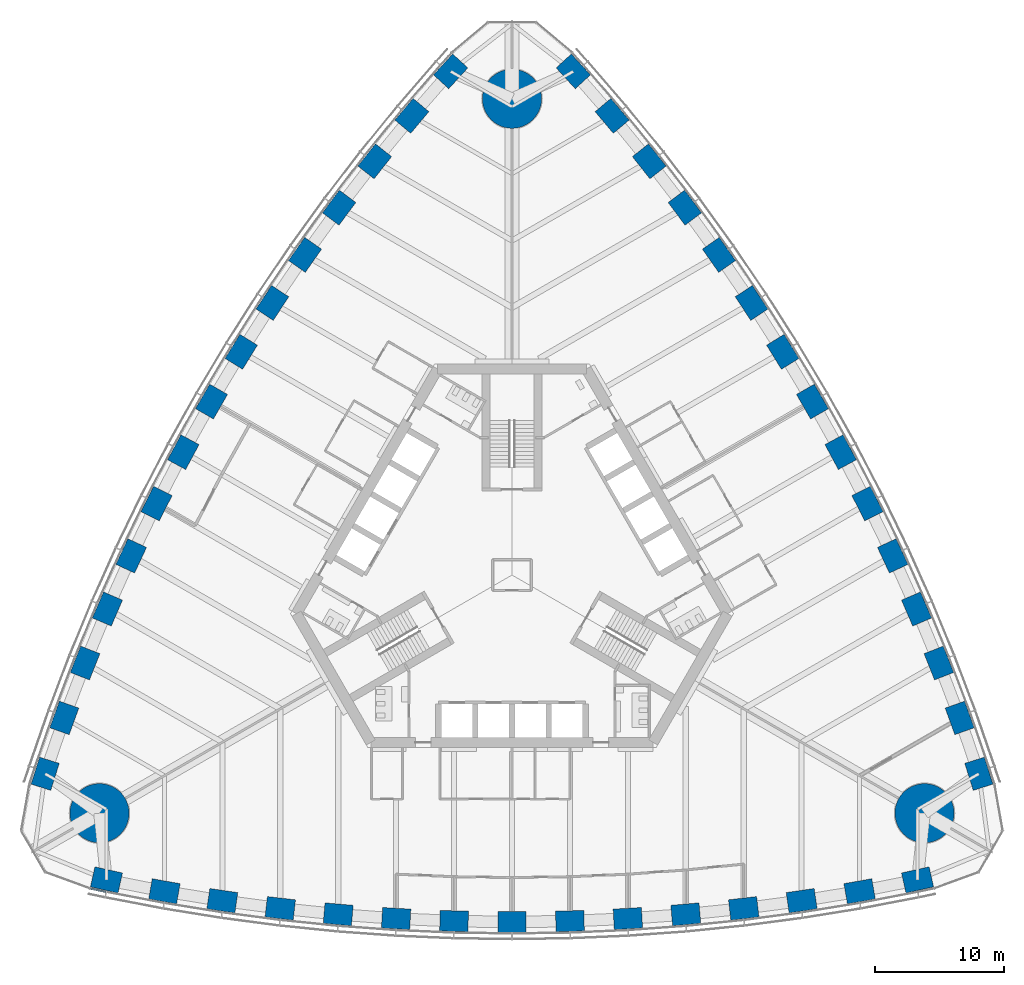
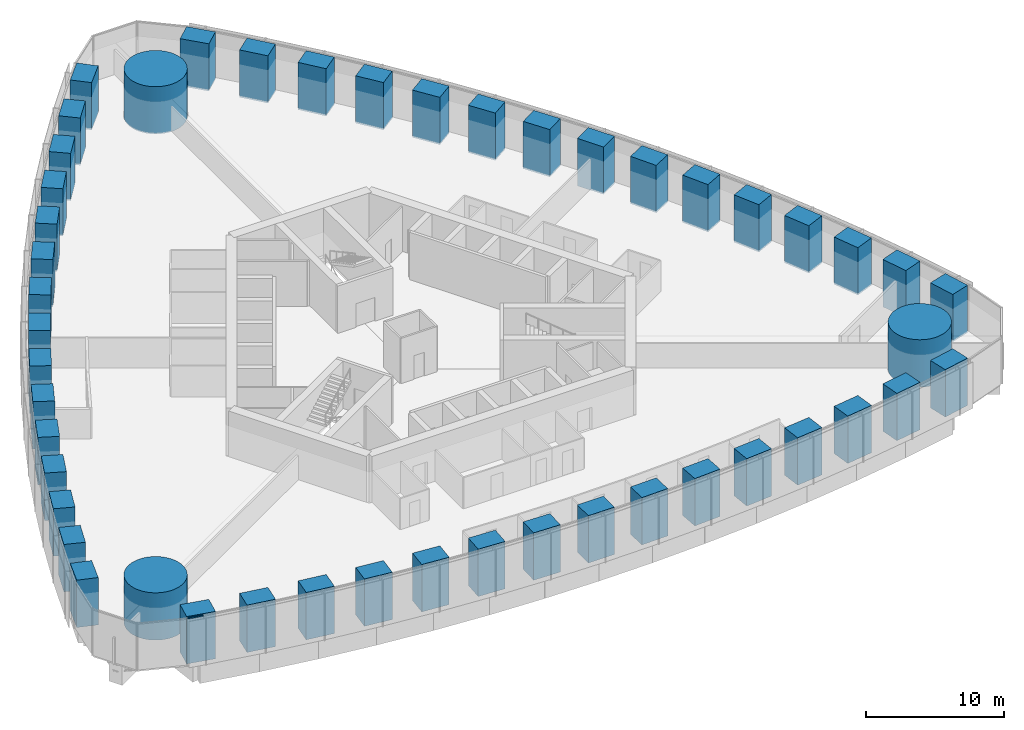
# One storey, part 1 of 18: 48 columns, 1 member, 1 element without a shape of its own.
"""IFC4 building model written with IfcOpenShell, lengths in metres."""

from ifc_helpers import new_model, si_unit, direction, frame, origin, origin_2d, place, context, subcontext, project, spatial, rectangle, circle, extrude, material, material_profile, profile_set, type_object, element, aggregate, save


model = new_model("IFC4")

# Units and contexts
model_context = context("Model", 3, precision=1e-05, world=origin(), true_north=direction((0.0, 1.0)))
body_context = subcontext(model_context, "Body", "Model", "MODEL_VIEW")
ifc_project = project(units=[si_unit("LENGTHUNIT", "METRE"), si_unit("AREAUNIT", "SQUARE_METRE"), si_unit("VOLUMEUNIT", "CUBIC_METRE"), si_unit("PLANEANGLEUNIT", "RADIAN"), si_unit("MASSUNIT", "GRAM", prefix="KILO")], contexts=[model_context])

# Site, building, storey
site_placement = place(None, origin())
site = spatial("IfcSite", under=ifc_project, at=site_placement, CompositionType="ELEMENT")
building_placement = place(site_placement, origin())
building = spatial("IfcBuilding", under=site, at=building_placement, Name="Trefoil Bronze Tower", CompositionType="ELEMENT")
storey_placement = place(building_placement, frame((0.0, 0.0, 71.10009765625)))
storey = spatial("IfcBuildingStorey", under=building, at=storey_placement, Name="L16", CompositionType="ELEMENT", Elevation=71.10009765625)

# Columns
ifc_material_1 = material(Name="Concrete B80", Category="concrete")
ifc_material_profile_1 = material_profile(ifc_material_1, circle(Radius=2.300048828125, at=origin_2d()), Name="RC D4600")
ifc_profile_set_1 = profile_set([ifc_material_profile_1], Name="Concrete B80")
column_type_1 = type_object("IfcColumnType", Name="Mega column RC D4600", PredefinedType="COLUMN", material=ifc_profile_set_1)
for number, where, z_axis, x_axis, name in (
    (1, (32.04296875, -18.5, 0.0), (0.0, 0.0, 1.0), (1.0, 0.0, 0.0), "Mega column K1 L16"),
    (2, (0.0, 37.0, 0.0), (0.0, 0.0, 1.0), (1.0, 0.0, 0.0), "Mega column K2 L16"),
    (3, (-32.04296875, -18.5, 0.0), (0.0, 0.0, 1.0), (1.0, 0.0, 0.0), "Mega column K3 L16"),
):
    element("IfcColumn", number, at=place(storey_placement, frame(where, z_axis=z_axis, x_axis=x_axis)), inside=storey, type_object=column_type_1, Name=name, PredefinedType="COLUMN", context=body_context, shape_type="SweptSolid", body=[
        extrude(circle(Radius=2.300048828125, at=origin_2d()), origin(), (0.0, 0.0, 1.0), 4.199951171875),
    ])
ifc_material_2 = material(Name="Concrete B80", Category="concrete")
ifc_material_profile_2 = material_profile(ifc_material_2, rectangle(XDim=2.199951171875, YDim=1.60009765625, at=origin_2d()), Name="RC 2200x1600")
ifc_profile_set_2 = profile_set([ifc_material_profile_2], Name="Concrete B80")
column_type_2 = type_object("IfcColumnType", Name="Tube column RC 2200x1600", PredefinedType="COLUMN", material=ifc_profile_set_2)
for number, where, z_axis, x_axis, name in (
    (4, (-31.5, -23.684814453125, 0.0), (0.0, 0.0, 1.0), (0.976229647342, -0.216738726697, 0.0), "Tube column F1/-7 L16"),
    (5, (-27.0, -24.56787109375, 0.0), (0.0, 0.0, 1.0), (0.984722470468, -0.174131146426, 0.0), "Tube column F1/-6 L16"),
    (6, (-22.5, -25.29931640625, 0.0), (0.0, 0.0, 1.0), (0.989415676546, -0.145108990094, 0.0), "Tube column F1/-5 L16"),
    (7, (-18.0, -25.895263671875, 0.0), (0.0, 0.0, 1.0), (0.993239048989, -0.116086999973, 0.0), "Tube column F1/-4 L16"),
    (8, (-13.5, -26.35693359375, 0.0), (0.0, 0.0, 1.0), (0.996202620701, -0.087065139456, 0.0), "Tube column F1/-3 L16"),
    (9, (-9.0, -26.68603515625, 0.0), (0.0, 0.0, 1.0), (0.998314062162, -0.058043374207, 0.0), "Tube column F1/-2 L16"),
    (10, (-4.5, -26.883056640625, 0.0), (0.0, 0.0, 1.0), (0.999578782577, -0.029021671584, 0.0), "Tube column F1/-1 L16"),
    (11, (0.0, -26.94873046875, 0.0), (0.0, 0.0, 1.0), (1.0, 0.0, 0.0), "Tube column F1/+0 L16"),
    (12, (4.5, -26.883056640625, 0.0), (0.0, 0.0, 1.0), (0.999578782577, 0.029021671584, 0.0), "Tube column F1/+1 L16"),
    (13, (9.0, -26.68603515625, 0.0), (0.0, 0.0, 1.0), (0.998314062162, 0.058043374207, 0.0), "Tube column F1/+2 L16"),
    (14, (13.5, -26.35693359375, 0.0), (0.0, 0.0, 1.0), (0.996202620701, 0.087065139456, 0.0), "Tube column F1/+3 L16"),
    (15, (18.0, -25.895263671875, 0.0), (0.0, 0.0, 1.0), (0.993239048989, 0.116086999973, 0.0), "Tube column F1/+4 L16"),
    (16, (22.5, -25.29931640625, 0.0), (0.0, 0.0, 1.0), (0.989415676546, 0.145108990094, 0.0), "Tube column F1/+5 L16"),
    (17, (27.0, -24.56787109375, 0.0), (0.0, 0.0, 1.0), (0.984722470468, 0.174131146426, 0.0), "Tube column F1/+6 L16"),
    (18, (31.5, -23.684814453125, 0.0), (0.0, 0.0, 1.0), (0.976229647342, 0.216738726697, 0.0), "Tube column F1/+7 L16"),
    (19, (36.26171875, -15.4375, 0.0), (0.0, 0.0, 1.0), (-0.300413580368, 0.953809037874, 0.0), "Tube column F2/-7 L16"),
    (20, (34.7763671875, -11.0986328125, 0.0), (0.0, 0.0, 1.0), (-0.341559238839, 0.939860248316, 0.0), "Tube column F2/-6 L16"),
    (21, (33.159912109375, -6.8359375, 0.0), (0.0, 0.0, 1.0), (-0.369039766534, 0.929413605838, 0.0), "Tube column F2/-5 L16"),
    (22, (31.42578125, -2.640869140625, 0.0), (0.0, 0.0, 1.0), (-0.396085233469, 0.918213748442, 0.0), "Tube column F2/-4 L16"),
    (23, (29.575927734375, 1.487060546875, 0.0), (0.0, 0.0, 1.0), (-0.422700687798, 0.906269346572, 0.0), "Tube column F2/-3 L16"),
    (24, (27.61083984375, 5.548828125, 0.0), (0.0, 0.0, 1.0), (-0.448889994497, 0.893587025891, 0.0), "Tube column F2/-2 L16"),
    (25, (25.531494140625, 9.54443359375, 0.0), (0.0, 0.0, 1.0), (-0.474655886437, 0.880171454588, 0.0), "Tube column F2/-1 L16"),
    (26, (23.33837890625, 13.474365234375, 0.0), (0.0, 0.0, 1.0), (-0.5, 0.866025403784, 0.0), "Tube column F2/+0 L16"),
    (27, (21.031494140625, 17.338623046875, 0.0), (0.0, 0.0, 1.0), (-0.524922896141, 0.851149783004, 0.0), "Tube column F2/+1 L16"),
    (28, (18.61083984375, 21.13720703125, 0.0), (0.0, 0.0, 1.0), (-0.549424067665, 0.835543651684, 0.0), "Tube column F2/+2 L16"),
    (29, (16.075927734375, 24.869873046875, 0.0), (0.0, 0.0, 1.0), (-0.573501932903, 0.819204207116, 0.0), "Tube column F2/+3 L16"),
    (30, (13.42578125, 28.5361328125, 0.0), (0.0, 0.0, 1.0), (-0.59715381552, 0.802126748469, 0.0), "Tube column F2/+4 L16"),
    (31, (10.659912109375, 32.13525390625, 0.0), (0.0, 0.0, 1.0), (-0.620375910011, 0.784304615744, 0.0), "Tube column F2/+5 L16"),
    (32, (7.7763671875, 35.666748046875, 0.0), (0.0, 0.0, 1.0), (-0.643163231629, 0.765729101889, 0.0), "Tube column F2/+6 L16"),
    (33, (4.76171875, 39.122314453125, 0.0), (0.0, 0.0, 1.0), (-0.675816066975, 0.737070311177, 0.0), "Tube column F2/+7 L16"),
    (34, (-4.76171875, 39.122314453125, 0.0), (0.0, 0.0, 1.0), (-0.675816066975, -0.737070311177, 0.0), "Tube column F3/-7 L16"),
    (35, (-7.7763671875, 35.666748046875, 0.0), (0.0, 0.0, 1.0), (-0.643163231629, -0.765729101889, 0.0), "Tube column F3/-6 L16"),
    (36, (-10.659912109375, 32.13525390625, 0.0), (0.0, 0.0, 1.0), (-0.620375910011, -0.784304615744, 0.0), "Tube column F3/-5 L16"),
    (37, (-13.42578125, 28.5361328125, 0.0), (0.0, 0.0, 1.0), (-0.59715381552, -0.802126748469, 0.0), "Tube column F3/-4 L16"),
    (38, (-16.075927734375, 24.869873046875, 0.0), (0.0, 0.0, 1.0), (-0.573501932903, -0.819204207116, 0.0), "Tube column F3/-3 L16"),
    (39, (-18.61083984375, 21.13720703125, 0.0), (0.0, 0.0, 1.0), (-0.549424067665, -0.835543651684, 0.0), "Tube column F3/-2 L16"),
    (40, (-21.031494140625, 17.338623046875, 0.0), (0.0, 0.0, 1.0), (-0.524922896141, -0.851149783004, 0.0), "Tube column F3/-1 L16"),
    (41, (-23.33837890625, 13.474365234375, 0.0), (0.0, 0.0, 1.0), (-0.5, -0.866025403784, 0.0), "Tube column F3/+0 L16"),
    (42, (-25.531494140625, 9.54443359375, 0.0), (0.0, 0.0, 1.0), (-0.474655886437, -0.880171454588, 0.0), "Tube column F3/+1 L16"),
    (43, (-27.61083984375, 5.548828125, 0.0), (0.0, 0.0, 1.0), (-0.448889994497, -0.893587025891, 0.0), "Tube column F3/+2 L16"),
    (44, (-29.575927734375, 1.487060546875, 0.0), (0.0, 0.0, 1.0), (-0.422700687798, -0.906269346572, 0.0), "Tube column F3/+3 L16"),
    (45, (-31.42578125, -2.640869140625, 0.0), (0.0, 0.0, 1.0), (-0.396085233469, -0.918213748442, 0.0), "Tube column F3/+4 L16"),
    (46, (-33.159912109375, -6.8359375, 0.0), (0.0, 0.0, 1.0), (-0.369039766534, -0.929413605838, 0.0), "Tube column F3/+5 L16"),
    (47, (-34.7763671875, -11.0986328125, 0.0), (0.0, 0.0, 1.0), (-0.341559238839, -0.939860248316, 0.0), "Tube column F3/+6 L16"),
    (48, (-36.26171875, -15.4375, 0.0), (0.0, 0.0, 1.0), (-0.300413580368, -0.953809037874, 0.0), "Tube column F3/+7 L16"),
):
    element("IfcColumn", number, at=place(storey_placement, frame(where, z_axis=z_axis, x_axis=x_axis)), inside=storey, type_object=column_type_2, Name=name, PredefinedType="COLUMN", context=body_context, shape_type="SweptSolid", body=[
        extrude(rectangle(XDim=2.199951171875, YDim=1.60009765625, at=origin_2d()), origin(), (0.0, 0.0, 1.0), 4.199951171875),
    ])

# Curtain wall, member
ifc_material_3 = material(Name="Tinted solar-control glass", Category="glass")
curtain_wall_type = type_object("IfcCurtainWallType", Name="Bronze office curtain wall", PredefinedType="USERDEFINED", material=ifc_material_3)
curtain_wall_placement = place(storey_placement, origin())
curtain_wall = element("IfcCurtainWall", 49, at=curtain_wall_placement, inside=storey, type_object=curtain_wall_type, Name="CW-A L16 F1", ObjectType="CURTAIN WALL", PredefinedType="USERDEFINED")
ifc_material_4 = material(Name="Bronze-finish aluminium", Category="aluminium")
ifc_material_profile_3 = material_profile(ifc_material_4, rectangle(XDim=0.1201171875, YDim=0.10009765625, at=origin_2d()), Name="CW-A transom")
ifc_profile_set_3 = profile_set([ifc_material_profile_3], Name="Bronze-finish aluminium")
member_type = type_object("IfcMemberType", Name="Bronze office curtain wall transom", PredefinedType="USERDEFINED", material=ifc_profile_set_3)
member_placement = place(storey_placement, frame((-32.743896484375, -24.354736328125, 4.1298828125), z_axis=(0.978266371807, -0.207352129942, 0.0), x_axis=(0.207352129942, 0.978266371807, 0.0)))
member = element("IfcMember", 50, at=member_placement, type_object=member_type, Name="CW-A L16 F1 transom 1", ObjectType="TRANSOM", PredefinedType="USERDEFINED", context=body_context, shape_type="SweptSolid", body=[
    extrude(rectangle(XDim=0.1201171875, YDim=0.10009765625, at=origin_2d()), origin(), (0.0, 0.0, 1.0), 1.21044921875),
])
aggregate(curtain_wall, [member])

save(model, "model.ifc")
